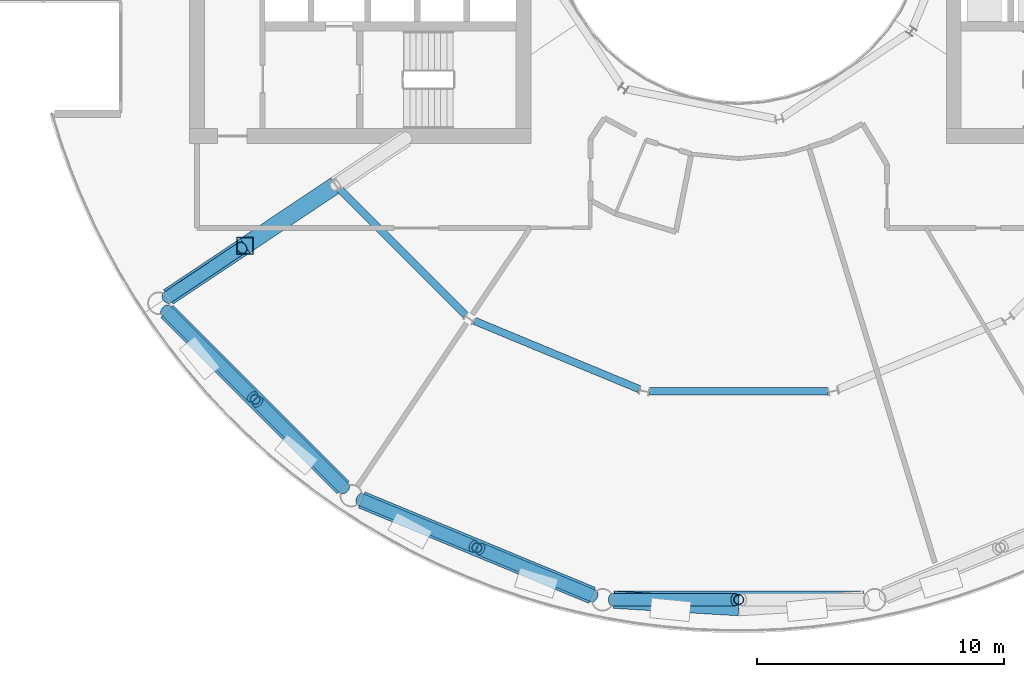
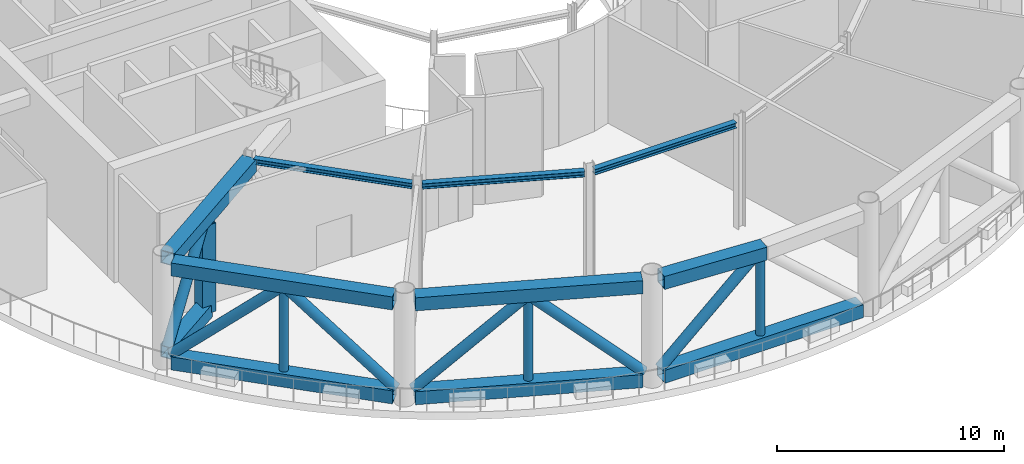
# One storey, part 5 of 25: 11 beams, 10 members.
"""IFC4 building model written with IfcOpenShell, lengths in metres."""

import ifcopenshell
import ifcopenshell.guid

model = None  # the IFC model being written
_history = None  # IfcOwnerHistory: only IFC2X3 demands one
_inside = {}  # id of a spatial element -> (the spatial element, [elements in it])
_under = {}  # id of a project, library or spatial element -> (it, [spatial elements below it])
_declared = {}  # id of a project -> (the project, [libraries it declares])
_typed = {}  # id of a type object -> (the type object, [elements of that type])
_made_of = {}  # id of a material, layer set ... -> (it, [elements and type objects made of it])


def new_model(schema):
    """Start an empty IFC model of exactly this schema.

    Asked for "IFC4X3", IfcOpenShell would pick the latest addendum, in which some entities
    have other attributes; the version numbers below select the first issue.
    IFC2X3 requires an IfcOwnerHistory on every rooted entity: one is made here for all.
    """
    global model, _history
    if schema == "IFC4X3":
        model = ifcopenshell.file(schema_version=(4, 3, 0, 0))
    else:
        model = ifcopenshell.file(schema=schema)
    _inside.clear()
    _under.clear()
    _declared.clear()
    _typed.clear()
    _made_of.clear()
    _history = None
    if model.schema == "IFC2X3":
        org = make("IfcOrganization", Name="unknown")
        user = make(
            "IfcPersonAndOrganization",
            ThePerson=make("IfcPerson", FamilyName="unknown"),
            TheOrganization=org,
        )
        app = make(
            "IfcApplication",
            ApplicationDeveloper=org,
            Version="unknown",
            ApplicationFullName="unknown",
            ApplicationIdentifier="unknown",
        )
        _history = make(
            "IfcOwnerHistory",
            OwningUser=user,
            OwningApplication=app,
            ChangeAction="ADDED",
            CreationDate=0,
        )
    return model


def make(cls, **values):
    """One entity of the class cls with the attributes given. An attribute that is None is left unset."""
    return model.create_entity(
        cls, **{name: value for name, value in values.items() if value is not None}
    )


def rooted(cls, **values):
    """An entity with a GlobalId (a new one), such as an element, a storey or a relation."""
    return make(cls, GlobalId=ifcopenshell.guid.new(), OwnerHistory=_history, **values)


def si_unit(unit_type, name, prefix=None):
    """IfcSIUnit, for example si_unit("LENGTHUNIT", "METRE", prefix="MILLI")."""
    return make("IfcSIUnit", UnitType=unit_type, Prefix=prefix, Name=name)


def assignment(units):
    """IfcUnitAssignment: the units of a project."""
    return None if units is None else make("IfcUnitAssignment", Units=units)


def point(xyz):
    """IfcCartesianPoint."""
    return None if xyz is None else make("IfcCartesianPoint", Coordinates=xyz)


def direction(xyz):
    """IfcDirection."""
    return None if xyz is None else make("IfcDirection", DirectionRatios=xyz)


def frame(location, z_axis=None, x_axis=None):
    """IfcAxis2Placement3D, a coordinate frame: its origin and axes. An axis left out is left unset."""
    return make(
        "IfcAxis2Placement3D",
        Location=point(location),
        Axis=direction(z_axis),
        RefDirection=direction(x_axis),
    )


def frame_2d(location, x_axis=None):
    """IfcAxis2Placement2D, a coordinate frame in the plane: its origin and x axis."""
    return make(
        "IfcAxis2Placement2D", Location=point(location), RefDirection=direction(x_axis)
    )


def origin():
    """The frame at (0, 0, 0) with its axes left unset."""
    return frame((0.0, 0.0, 0.0))


def origin_2d():
    """The frame at (0, 0) in the plane with its x axis left unset."""
    return frame_2d((0.0, 0.0))


def place(relative_to, where):
    """IfcLocalPlacement: puts the frame where relative to a parent placement (None: the world)."""
    return make(
        "IfcLocalPlacement", PlacementRelTo=relative_to, RelativePlacement=where
    )


def context(
    kind, dimensions, precision=None, world=None, true_north=None, identifier=None
):
    """IfcGeometricRepresentationContext, for example the 3D "Model" context."""
    return make(
        "IfcGeometricRepresentationContext",
        ContextIdentifier=identifier,
        ContextType=kind,
        CoordinateSpaceDimension=dimensions,
        Precision=precision,
        WorldCoordinateSystem=world,
        TrueNorth=true_north,
    )


def subcontext(parent, identifier, kind, view, scale=None):
    """IfcGeometricRepresentationSubContext, for example "Body" below "Model"."""
    return make(
        "IfcGeometricRepresentationSubContext",
        ContextIdentifier=identifier,
        ContextType=kind,
        ParentContext=parent,
        TargetScale=scale,
        TargetView=view,
    )


def project(units=None, contexts=None):
    """IfcProject with its units and contexts."""
    return rooted(
        "IfcProject",
        Name="project",
        RepresentationContexts=contexts,
        UnitsInContext=assignment(units),
    )


def spatial(cls, under=None, at=None, **own):
    """A site, building, storey or space (cls), placed at a placement, below another one or the project."""
    s = rooted(cls, ObjectPlacement=at, **own)
    if under is not None:
        _under.setdefault(under.id(), (under, []))[1].append(s)
    return s


def profile(cls, at=None, kind="AREA", **sizes):
    """A parametric profile (cls). Its sizes go by their IFC names, for example OverallWidth=200.0."""
    return make(cls, ProfileType=kind, Position=at, **sizes)


def hollow_rectangle(**sizes):
    """IfcRectangleHollowProfileDef."""
    return profile("IfcRectangleHollowProfileDef", **sizes)


def hollow_circle(**sizes):
    """IfcCircleHollowProfileDef."""
    return profile("IfcCircleHollowProfileDef", **sizes)


def i_section(**sizes):
    """IfcIShapeProfileDef."""
    return profile("IfcIShapeProfileDef", **sizes)


def extrude(swept, where, along, depth):
    """IfcExtrudedAreaSolid: the profile swept, set in the frame where, extruded along a direction by depth."""
    return make(
        "IfcExtrudedAreaSolid",
        SweptArea=swept,
        Position=where,
        ExtrudedDirection=direction(along),
        Depth=depth,
    )


def shape(context_of_items, identifier, shape_type, items):
    """IfcShapeRepresentation: the items that make up one representation, for example the "Body"."""
    return make(
        "IfcShapeRepresentation",
        ContextOfItems=context_of_items,
        RepresentationIdentifier=identifier,
        RepresentationType=shape_type,
        Items=items,
    )


def material(Name=None, Category=None):
    """IfcMaterial."""
    return make("IfcMaterial", Name=Name, Category=Category)


def material_profile(
    of_material, cross_section, Name=None, Category=None, Priority=None
):
    """IfcMaterialProfile: a cross section and its material."""
    return make(
        "IfcMaterialProfile",
        Name=Name,
        Material=of_material,
        Profile=cross_section,
        Priority=Priority,
        Category=Category,
    )


def profile_set(profiles, Name=None, composite=None):
    """IfcMaterialProfileSet."""
    return make(
        "IfcMaterialProfileSet",
        Name=Name,
        MaterialProfiles=profiles,
        CompositeProfile=composite,
    )


def made_of(thing, what):
    """Note that an element or type object is made of a material, layer set ...; save() writes the relation."""
    if what is not None:
        _made_of.setdefault(what.id(), (what, []))[1].append(thing)
    return thing


def type_object(cls, material=None, **own):
    """A type object (cls), such as IfcWallType, which elements share."""
    return made_of(rooted(cls, **own), material)


def element(
    cls,
    number,
    at=None,
    inside=None,
    cuts=None,
    type_object=None,
    material=None,
    context=None,
    identifier="Body",
    shape_type=None,
    held_by="IfcProductDefinitionShape",
    body=None,
    shapes=None,
    **own,
):
    """One element of the class cls, such as IfcWall. Its Tag is "e" and its number.

    at: its placement. inside: the storey or other place that contains it. cuts: it is an
    opening in that element (IfcRelVoidsElement). A single representation is given by context,
    identifier, shape_type and body (its items); several are given by shapes. held_by: the class
    of the entity that holds the representations. save() writes the other relations.
    """
    e = rooted(cls, Tag="e%d" % number, ObjectPlacement=at, **own)
    if body is not None:
        shapes = [shape(context, identifier, shape_type, body)]
    if shapes is not None:
        e.Representation = make(held_by, Representations=shapes)
    if inside is not None:
        _inside.setdefault(inside.id(), (inside, []))[1].append(e)
    if cuts is not None:
        rooted(
            "IfcRelVoidsElement", RelatingBuildingElement=cuts, RelatedOpeningElement=e
        )
    if type_object is not None:
        _typed.setdefault(type_object.id(), (type_object, []))[1].append(e)
    return made_of(e, material)


def aggregate(whole, parts):
    """IfcRelAggregates: a whole, such as a stair, and the parts it consists of."""
    return rooted("IfcRelAggregates", RelatingObject=whole, RelatedObjects=parts)


def save(model, path):
    """Write the relations noted so far, then the file.

    IfcRelAggregates (storeys below a building ...), IfcRelContainedInSpatialStructure (elements
    in a storey), IfcRelDefinesByType, IfcRelAssociatesMaterial and IfcRelDeclares: one each for
    every whole, place, type object, material and project.
    """
    for whole, parts in _under.values():
        aggregate(whole, parts)
    for where, things in _inside.values():
        rooted(
            "IfcRelContainedInSpatialStructure",
            RelatedElements=things,
            RelatingStructure=where,
        )
    for kind, things in _typed.values():
        rooted("IfcRelDefinesByType", RelatedObjects=things, RelatingType=kind)
    for what, things in _made_of.values():
        rooted("IfcRelAssociatesMaterial", RelatedObjects=things, RelatingMaterial=what)
    for by, libraries in _declared.values():
        rooted("IfcRelDeclares", RelatingContext=by, RelatedDefinitions=libraries)
    model.write(path)


model = new_model("IFC4")

# Units and contexts
model_context = context("Model", 3, precision=1e-05, world=origin(), true_north=direction((0.0, 1.0)))
body_context = subcontext(model_context, "Body", "Model", "MODEL_VIEW")
ifc_project = project(units=[si_unit("LENGTHUNIT", "METRE"), si_unit("AREAUNIT", "SQUARE_METRE"), si_unit("VOLUMEUNIT", "CUBIC_METRE"), si_unit("PLANEANGLEUNIT", "RADIAN"), si_unit("MASSUNIT", "GRAM", prefix="KILO")], contexts=[model_context])

# Site, building, storey
site_placement = place(None, origin())
site = spatial("IfcSite", under=ifc_project, at=site_placement, CompositionType="ELEMENT")
building_placement = place(site_placement, origin())
building = spatial("IfcBuilding", under=site, at=building_placement, Name="Maasbend Ring Residences", CompositionType="ELEMENT")
storey_placement = place(building_placement, frame((0.0, 0.0, 139.10009765625)))
storey = spatial("IfcBuildingStorey", under=building, at=storey_placement, Name="L40", CompositionType="ELEMENT", Elevation=139.10009765625)

# Beams
ifc_material_1 = material(Name="Steel S460M", Category="steel")
ifc_material_profile_1 = material_profile(ifc_material_1, hollow_rectangle(XDim=0.699951171875, YDim=0.699951171875, WallThickness=0.0400390625, at=origin_2d()), Name="Belt truss chord BX 700x700x40")
ifc_profile_set_1 = profile_set([ifc_material_profile_1], Name="Steel S460M")
beam_type_1 = type_object("IfcBeamType", Name="Belt truss chord BX 700x700x40", PredefinedType="BEAM", material=ifc_profile_set_1)
for number, where, z_axis, x_axis, name in (
    (1, (-23.124267578125, -15.990234375, 0.349853515625), (0.707106781187, -0.707106781187, 0.0), (0.707106781187, 0.707106781187, 0.0), "Belt truss"),
    (2, (-23.124267578125, -15.990234375, 5.39990234375), (0.707106781187, -0.707106781187, 0.0), (0.707106781187, 0.707106781187, 0.0), "Belt truss"),
    (3, (-15.244873046875, -23.622314453125, 0.349853515625), (0.92388529709, -0.382669515144, 0.0), (0.382669515144, 0.92388529709, 0.0), "Belt truss"),
    (4, (-15.244873046875, -23.622314453125, 5.39990234375), (0.92388529709, -0.382669515144, 0.0), (0.382669515144, 0.92388529709, 0.0), "Belt truss"),
):
    element("IfcBeam", number, at=place(storey_placement, frame(where, z_axis=z_axis, x_axis=x_axis)), inside=storey, type_object=beam_type_1, Name=name, PredefinedType="BEAM", context=body_context, shape_type="SweptSolid", body=[
        extrude(hollow_rectangle(XDim=0.699951171875, YDim=0.699951171875, WallThickness=0.0400390625, at=origin_2d()), origin(), (0.0, 0.0, 1.0), 10.089111328125),
    ])
beam_1_placement = place(storey_placement, frame((-5.04443359375, -27.658203125, 0.349853515625), z_axis=(1.0, 0.0, 0.0), x_axis=(0.0, 1.0, 0.0)))
element("IfcBeam", 5, at=beam_1_placement, inside=storey, type_object=beam_type_1, Name="Belt truss", PredefinedType="BEAM", context=body_context, shape_type="SweptSolid", body=[
    extrude(hollow_rectangle(XDim=0.699951171875, YDim=0.699951171875, WallThickness=0.0400390625, at=origin_2d()), origin(), (0.0, 0.0, 1.0), 10.0888671875),
])
beam_2_placement = place(storey_placement, frame((-5.04443359375, -27.658203125, 5.39990234375), z_axis=(0.998238537698, -0.05932808655, 0.0), x_axis=(0.05932808655, 0.998238537698, 0.0)))
element("IfcBeam", 6, at=beam_2_placement, inside=storey, type_object=beam_type_1, Name="Belt truss", PredefinedType="BEAM", context=body_context, shape_type="SweptSolid", body=[
    extrude(hollow_rectangle(XDim=0.699951171875, YDim=0.699951171875, WallThickness=0.0400390625, at=origin_2d()), origin(), (0.0, 0.0, 1.0), 5.05322265625),
])

# Members
ifc_material_2 = material(Name="Steel S460NH", Category="steel")
ifc_material_profile_2 = material_profile(ifc_material_2, hollow_circle(Radius=0.25390625, WallThickness=0.01611328125, at=origin_2d()), Name="Belt truss diagonal CHS 508x16")
ifc_profile_set_2 = profile_set([ifc_material_profile_2], Name="Steel S460NH")
member_type_1 = type_object("IfcMemberType", Name="Belt truss diagonal CHS 508x16", PredefinedType="BRACE", material=ifc_profile_set_2)
for number, where, z_axis, x_axis, name in (
    (7, (-23.16357421875, -15.950927734375, 0.64990234375), (0.525974052157, -0.525974052157, 0.668358132227), (0.707106781187, 0.707106781187, 0.0), "Belt truss diagonal"),
    (8, (-19.452880859375, -19.66162109375, 5.099853515625), (0.525974052157, -0.525974052157, -0.668358132227), (0.707106781187, 0.707106781187, 0.0), "Belt truss diagonal"),
):
    element("IfcMember", number, at=place(storey_placement, frame(where, z_axis=z_axis, x_axis=x_axis)), inside=storey, type_object=member_type_1, Name=name, PredefinedType="BRACE", context=body_context, shape_type="SweptSolid", body=[
        extrude(hollow_circle(Radius=0.25390625, WallThickness=0.01611328125, at=origin_2d()), origin(), (0.0, 0.0, 1.0), 6.657958984375),
    ])
for number, where, z_axis, x_axis, name in (
    (9, (-15.29638671875, -23.60107421875, 0.64990234375), (0.687230408207, -0.28465316716, 0.668346422495), (0.382675413306, 0.923882854074, 0.0), "Belt truss diagonal"),
    (10, (-10.447998046875, -25.609130859375, 5.099853515625), (0.687230408207, -0.28465316716, -0.668346422495), (0.382675413306, 0.923882854074, 0.0), "Belt truss diagonal"),
):
    element("IfcMember", number, at=place(storey_placement, frame(where, z_axis=z_axis, x_axis=x_axis)), inside=storey, type_object=member_type_1, Name=name, PredefinedType="BRACE", context=body_context, shape_type="SweptSolid", body=[
        extrude(hollow_circle(Radius=0.25390625, WallThickness=0.01611328125, at=origin_2d()), origin(), (0.0, 0.0, 1.0), 6.658203125),
    ])
member_1_placement = place(storey_placement, frame((-5.10009765625, -27.658203125, 0.64990234375), z_axis=(0.743831786321, 0.0, 0.668366870558), x_axis=(0.0, 1.0, 0.0)))
element("IfcMember", 11, at=member_1_placement, inside=storey, type_object=member_type_1, Name="Belt truss diagonal", PredefinedType="BRACE", context=body_context, shape_type="SweptSolid", body=[
    extrude(hollow_circle(Radius=0.25390625, WallThickness=0.01611328125, at=origin_2d()), origin(), (0.0, 0.0, 1.0), 6.657958984375),
])
ifc_material_3 = material(Name="Steel S460NH", Category="steel")
ifc_material_profile_3 = material_profile(ifc_material_3, hollow_circle(Radius=0.203125, WallThickness=0.01611328125, at=origin_2d()), Name="Belt truss post CHS 406.4x16")
ifc_profile_set_3 = profile_set([ifc_material_profile_3], Name="Steel S460NH")
member_type_2 = type_object("IfcMemberType", Name="Belt truss post CHS 406.4x16", PredefinedType="POST", material=ifc_profile_set_3)
for number, where, z_axis, x_axis, name in (
    (12, (-19.55712890625, -19.55712890625, 0.699951171875), (0.0, 0.0, 1.0), (1.0, 0.0, 0.0), "Belt truss post"),
    (13, (-10.584228515625, -25.552734375, 0.699951171875), (0.0, 0.0, 1.0), (1.0, 0.0, 0.0), "Belt truss post"),
    (14, (0.0, -27.658203125, 0.699951171875), (0.0, 0.0, 1.0), (1.0, 0.0, 0.0), "Belt truss post"),
):
    element("IfcMember", number, at=place(storey_placement, frame(where, z_axis=z_axis, x_axis=x_axis)), inside=storey, type_object=member_type_2, Name=name, PredefinedType="POST", context=body_context, shape_type="SweptSolid", body=[
        extrude(hollow_circle(Radius=0.203125, WallThickness=0.01611328125, at=origin_2d()), origin(), (0.0, 0.0, 1.0), 4.349853515625),
    ])

# Beams
ifc_material_4 = material(Name="Steel S355J2", Category="steel")
ifc_material_profile_4 = material_profile(ifc_material_4, i_section(OverallWidth=0.300048828125, OverallDepth=0.2900390625, WebThickness=0.008544921875, FlangeThickness=0.013916015625, FilletRadius=0.027099609375, at=origin_2d()), Name="HEA 300")
ifc_profile_set_4 = profile_set([ifc_material_profile_4], Name="Steel S355J2")
beam_type_2 = type_object("IfcBeamType", Name="Corridor ring beam HEA 300", PredefinedType="BEAM", material=ifc_profile_set_4)
for number, where, z_axis, x_axis, name in (
    (15, (-16.14111328125, -11.044921875, 5.60498046875), (0.707106781187, -0.707106781187, 0.0), (0.707106781187, 0.707106781187, 0.0), "Corridor ring beam"),
    (16, (-10.685791015625, -16.381103515625, 5.60498046875), (0.923877693919, -0.382687871089, 0.0), (0.382687871089, 0.923877693919, 0.0), "Corridor ring beam"),
    (17, (-3.603515625, -19.223388671875, 5.60498046875), (1.0, 0.0, 0.0), (0.0, 1.0, 0.0), "Corridor ring beam"),
):
    element("IfcBeam", number, at=place(storey_placement, frame(where, z_axis=z_axis, x_axis=x_axis)), inside=storey, type_object=beam_type_2, Name=name, PredefinedType="BEAM", context=body_context, shape_type="SweptSolid", body=[
        extrude(i_section(OverallWidth=0.300048828125, OverallDepth=0.2900390625, WebThickness=0.008544921875, FlangeThickness=0.013916015625, FilletRadius=0.027099609375, at=origin_2d()), origin(), (0.0, 0.0, 1.0), 7.20703125),
    ])
ifc_material_5 = material(Name="Steel S460M", Category="steel")
ifc_material_profile_5 = material_profile(ifc_material_5, hollow_rectangle(XDim=0.699951171875, YDim=0.699951171875, WallThickness=0.0400390625, at=origin_2d()), Name="Outrigger truss chord BX 700x700x40")
ifc_profile_set_5 = profile_set([ifc_material_profile_5], Name="Steel S460M")
beam_type_3 = type_object("IfcBeamType", Name="Outrigger truss chord BX 700x700x40", PredefinedType="BEAM", material=ifc_profile_set_5)
beam_3_placement = place(storey_placement, frame((-23.0673828125, -15.4130859375, 0.349853515625), z_axis=(0.831476625974, 0.555559736175, 0.0), x_axis=(-0.555559736175, 0.831476625974, 0.0)))
element("IfcBeam", 18, at=beam_3_placement, inside=storey, type_object=beam_type_3, Name="Outrigger truss", PredefinedType="BEAM", context=body_context, shape_type="SweptSolid", body=[
    extrude(hollow_rectangle(XDim=0.699951171875, YDim=0.699951171875, WallThickness=0.0400390625, at=origin_2d()), origin(), (0.0, 0.0, 1.0), 3.73486328125),
])
beam_4_placement = place(storey_placement, frame((-23.0673828125, -15.4130859375, 5.39990234375), z_axis=(0.831468075719, 0.555572532673, 0.0), x_axis=(-0.555572532673, 0.831468075719, 0.0)))
element("IfcBeam", 19, at=beam_4_placement, inside=storey, type_object=beam_type_3, Name="Outrigger truss", PredefinedType="BEAM", context=body_context, shape_type="SweptSolid", body=[
    extrude(hollow_rectangle(XDim=0.699951171875, YDim=0.699951171875, WallThickness=0.0400390625, at=origin_2d()), origin(), (0.0, 0.0, 1.0), 8.135009765625),
])

# Members
ifc_material_6 = material(Name="Steel S460NH", Category="steel")
ifc_material_profile_6 = material_profile(ifc_material_6, hollow_circle(Radius=0.25390625, WallThickness=0.02490234375, at=origin_2d()), Name="Outrigger truss diagonal CHS 508x25")
ifc_profile_set_6 = profile_set([ifc_material_profile_6], Name="Steel S460NH")
member_type_3 = type_object("IfcMemberType", Name="Outrigger truss diagonal CHS 508x25", PredefinedType="BRACE", material=ifc_profile_set_6)
member_2_placement = place(storey_placement, frame((-23.101318359375, -15.435791015625, 0.64990234375), z_axis=(0.52409752366, 0.350193404269, 0.776328773974), x_axis=(-0.555573122826, 0.831467681388, 0.0)))
element("IfcMember", 20, at=member_2_placement, inside=storey, type_object=member_type_3, Name="Outrigger truss diagonal", PredefinedType="BRACE", context=body_context, shape_type="SweptSolid", body=[
    extrude(hollow_circle(Radius=0.25390625, WallThickness=0.02490234375, at=origin_2d()), origin(), (0.0, 0.0, 1.0), 5.73193359375),
])
ifc_material_7 = material(Name="Steel S460M", Category="steel")
ifc_material_profile_7 = material_profile(ifc_material_7, hollow_rectangle(XDim=0.699951171875, YDim=0.699951171875, WallThickness=0.0400390625, at=origin_2d()), Name="Outrigger truss post BX 700x700x40")
ifc_profile_set_7 = profile_set([ifc_material_profile_7], Name="Steel S460M")
member_type_4 = type_object("IfcMemberType", Name="Outrigger truss post BX 700x700x40", PredefinedType="POST", material=ifc_profile_set_7)
member_3_placement = place(storey_placement, frame((-19.9619140625, -13.338134765625, 0.2998046875), z_axis=(0.0, 0.0, 1.0), x_axis=(1.0, 0.0, 0.0)))
element("IfcMember", 21, at=member_3_placement, inside=storey, type_object=member_type_4, Name="Outrigger truss post", PredefinedType="POST", context=body_context, shape_type="SweptSolid", body=[
    extrude(hollow_rectangle(XDim=0.699951171875, YDim=0.699951171875, WallThickness=0.0400390625, at=origin_2d()), origin(), (0.0, 0.0, 1.0), 4.75),
])

save(model, "model.ifc")
